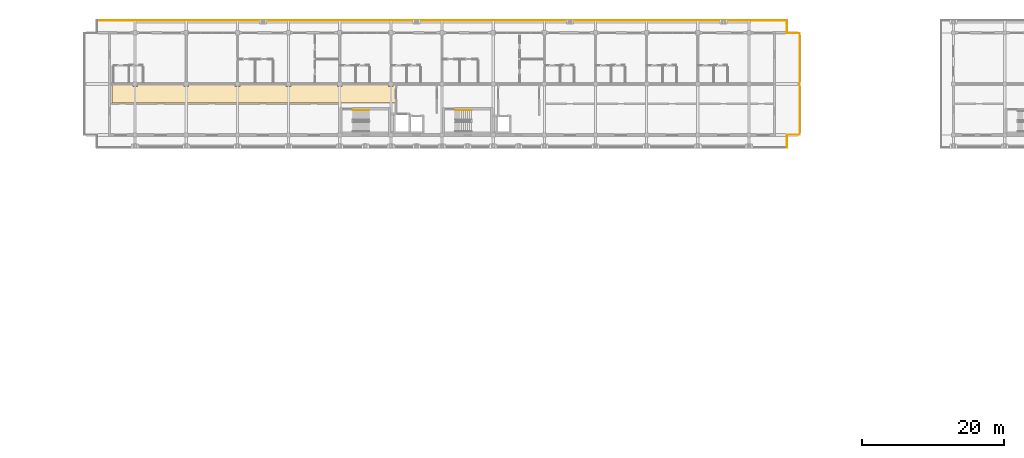
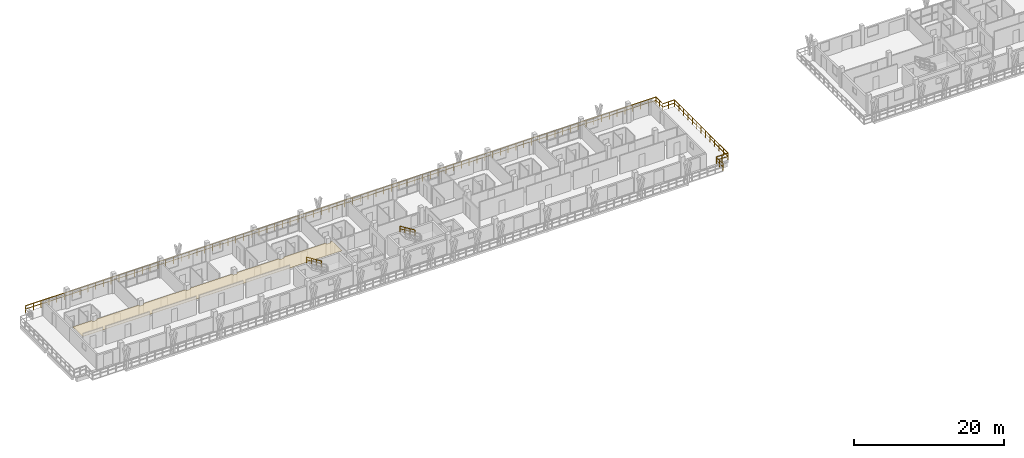
# One storey, part 60 of 67: 8 railings, 1 covering.
"""IFC4 building model written with IfcOpenShell, lengths in metres."""

from ifc_helpers import new_model, si_unit, direction, frame, origin, origin_2d, place, context, subcontext, project, spatial, polyline, rectangle, outline, extrude, material, layer, layer_set, type_object, element, save


model = new_model("IFC4")

# Units and contexts
model_context = context("Model", 3, precision=1e-05, world=origin(), true_north=direction((0.0, 1.0)))
body_context = subcontext(model_context, "Body", "Model", "MODEL_VIEW")
ifc_project = project(units=[si_unit("LENGTHUNIT", "METRE"), si_unit("AREAUNIT", "SQUARE_METRE"), si_unit("VOLUMEUNIT", "CUBIC_METRE"), si_unit("PLANEANGLEUNIT", "RADIAN"), si_unit("MASSUNIT", "GRAM", prefix="KILO")], contexts=[model_context])

# Site, building, storey
site_placement = place(None, origin())
site = spatial("IfcSite", under=ifc_project, at=site_placement, CompositionType="ELEMENT")
building_placement = place(site_placement, origin())
building = spatial("IfcBuilding", under=site, at=building_placement, Name="Suanplinth Sawtooth Commons", CompositionType="ELEMENT")
storey_placement = place(building_placement, frame((0.0, 0.0, 25.10009765625)))
storey = spatial("IfcBuildingStorey", under=building, at=storey_placement, Name="L07", CompositionType="ELEMENT", Elevation=25.10009765625)

# Covering
ifc_material_1 = material(Name="Mineral fibre acoustic tile")
ifc_layer = layer(ifc_material_1, 0.0400390625, Name="Perforated mineral-fibre acoustic suspended ceiling")
ifc_layer_set = layer_set([ifc_layer], Name="Mineral fibre acoustic tile")
covering_type = type_object("IfcCoveringType", Name="CV-CE01", PredefinedType="CEILING", material=ifc_layer_set)
covering_placement = place(storey_placement, frame((0.0, 0.0, 2.3798828125)))
element("IfcCovering", 1, at=covering_placement, inside=storey, type_object=covering_type, Name="L07 Block A Corridor Acoustic Ceiling", PredefinedType="CEILING", context=body_context, shape_type="SweptSolid", body=[
    extrude(outline(polyline([(11.159912109375, 112.5), (11.159912109375, 115.1201171875), (14.070068359375, 115.1201171875), (14.070068359375, 114.8701171875), (14.72998046875, 114.8701171875), (14.72998046875, 115.1201171875), (21.27001953125, 115.1201171875), (21.27001953125, 114.8701171875), (21.929931640625, 114.8701171875), (21.929931640625, 115.1201171875), (28.469970703125, 115.1201171875), (28.469970703125, 114.8701171875), (29.1298828125, 114.8701171875), (29.1298828125, 115.1201171875), (35.669921875, 115.1201171875), (35.669921875, 114.8701171875), (36.330078125, 114.8701171875), (36.330078125, 115.1201171875), (42.8701171875, 115.1201171875), (42.8701171875, 114.8701171875), (43.530029296875, 114.8701171875), (43.530029296875, 115.1201171875), (50.070068359375, 115.1201171875), (50.070068359375, 114.8701171875), (50.72998046875, 114.8701171875), (50.72998046875, 115.1201171875), (51.080078125, 115.1201171875), (51.080078125, 112.5), (11.159912109375, 112.5)])), origin(), (0.0, 0.0, 1.0), 0.0400390625),
])

# Railings
ifc_material_2 = material(Name="Powder-coated galvanized steel", Category="steel")
railing_type_1 = type_object("IfcRailingType", Name="GR-01", PredefinedType="BALUSTRADE", material=ifc_material_2)
railing_1_placement = place(storey_placement, frame((9.06005859375, 124.139892578125, 0.0)))
element("IfcRailing", 2, at=railing_1_placement, inside=storey, type_object=railing_type_1, Name="L07 Block A Perimeter Balustrade 5", PredefinedType="BALUSTRADE", context=body_context, shape_type="SweptSolid", body=[
    extrude(rectangle(XDim=0.048095703125, YDim=0.048095703125, at=origin_2d()), frame((0.0, 0.0, 1.09619140625), z_axis=(1.0, 0.0, 0.0), x_axis=(0.0, 1.0, 0.0)), (0.0, 0.0, 1.0), 97.079833984375),
    extrude(rectangle(XDim=0.03369140625, YDim=0.03369140625, at=origin_2d()), frame((0.0, 0.0, 0.56005859375), z_axis=(1.0, 0.0, 0.0), x_axis=(0.0, 1.0, 0.0)), (0.0, 0.0, 1.0), 97.079833984375),
    extrude(rectangle(XDim=0.0419921875, YDim=0.0419921875, at=origin_2d()), origin(), (0.0, 0.0, 1.0), 1.072021484375),
    extrude(rectangle(XDim=0.0419921875, YDim=0.0419921875, at=origin_2d()), frame((1.198486328125, 0.0, 0.0)), (0.0, 0.0, 1.0), 1.072021484375),
    extrude(rectangle(XDim=0.0419921875, YDim=0.0419921875, at=origin_2d()), frame((2.39697265625, 0.0, 0.0)), (0.0, 0.0, 1.0), 1.072021484375),
    extrude(rectangle(XDim=0.0419921875, YDim=0.0419921875, at=origin_2d()), frame((3.595458984375, 0.0, 0.0)), (0.0, 0.0, 1.0), 1.072021484375),
    extrude(rectangle(XDim=0.0419921875, YDim=0.0419921875, at=origin_2d()), frame((4.7939453125, 0.0, 0.0)), (0.0, 0.0, 1.0), 1.072021484375),
    extrude(rectangle(XDim=0.0419921875, YDim=0.0419921875, at=origin_2d()), frame((5.99267578125, 0.0, 0.0)), (0.0, 0.0, 1.0), 1.072021484375),
    extrude(rectangle(XDim=0.0419921875, YDim=0.0419921875, at=origin_2d()), frame((7.191162109375, 0.0, 0.0)), (0.0, 0.0, 1.0), 1.072021484375),
    extrude(rectangle(XDim=0.0419921875, YDim=0.0419921875, at=origin_2d()), frame((8.3896484375, 0.0, 0.0)), (0.0, 0.0, 1.0), 1.072021484375),
    extrude(rectangle(XDim=0.0419921875, YDim=0.0419921875, at=origin_2d()), frame((9.588134765625, 0.0, 0.0)), (0.0, 0.0, 1.0), 1.072021484375),
    extrude(rectangle(XDim=0.0419921875, YDim=0.0419921875, at=origin_2d()), frame((10.78662109375, 0.0, 0.0)), (0.0, 0.0, 1.0), 1.072021484375),
    extrude(rectangle(XDim=0.0419921875, YDim=0.0419921875, at=origin_2d()), frame((11.985107421875, 0.0, 0.0)), (0.0, 0.0, 1.0), 1.072021484375),
    extrude(rectangle(XDim=0.0419921875, YDim=0.0419921875, at=origin_2d()), frame((13.18359375, 0.0, 0.0)), (0.0, 0.0, 1.0), 1.072021484375),
    extrude(rectangle(XDim=0.0419921875, YDim=0.0419921875, at=origin_2d()), frame((14.382080078125, 0.0, 0.0)), (0.0, 0.0, 1.0), 1.072021484375),
    extrude(rectangle(XDim=0.0419921875, YDim=0.0419921875, at=origin_2d()), frame((15.580810546875, 0.0, 0.0)), (0.0, 0.0, 1.0), 1.072021484375),
    extrude(rectangle(XDim=0.0419921875, YDim=0.0419921875, at=origin_2d()), frame((16.779296875, 0.0, 0.0)), (0.0, 0.0, 1.0), 1.072021484375),
    extrude(rectangle(XDim=0.0419921875, YDim=0.0419921875, at=origin_2d()), frame((17.977783203125, 0.0, 0.0)), (0.0, 0.0, 1.0), 1.072021484375),
    extrude(rectangle(XDim=0.0419921875, YDim=0.0419921875, at=origin_2d()), frame((19.17626953125, 0.0, 0.0)), (0.0, 0.0, 1.0), 1.072021484375),
    extrude(rectangle(XDim=0.0419921875, YDim=0.0419921875, at=origin_2d()), frame((20.374755859375, 0.0, 0.0)), (0.0, 0.0, 1.0), 1.072021484375),
    extrude(rectangle(XDim=0.0419921875, YDim=0.0419921875, at=origin_2d()), frame((21.5732421875, 0.0, 0.0)), (0.0, 0.0, 1.0), 1.072021484375),
    extrude(rectangle(XDim=0.0419921875, YDim=0.0419921875, at=origin_2d()), frame((22.771728515625, 0.0, 0.0)), (0.0, 0.0, 1.0), 1.072021484375),
    extrude(rectangle(XDim=0.0419921875, YDim=0.0419921875, at=origin_2d()), frame((23.97021484375, 0.0, 0.0)), (0.0, 0.0, 1.0), 1.072021484375),
    extrude(rectangle(XDim=0.0419921875, YDim=0.0419921875, at=origin_2d()), frame((25.1689453125, 0.0, 0.0)), (0.0, 0.0, 1.0), 1.072021484375),
    extrude(rectangle(XDim=0.0419921875, YDim=0.0419921875, at=origin_2d()), frame((26.367431640625, 0.0, 0.0)), (0.0, 0.0, 1.0), 1.072021484375),
    extrude(rectangle(XDim=0.0419921875, YDim=0.0419921875, at=origin_2d()), frame((27.56591796875, 0.0, 0.0)), (0.0, 0.0, 1.0), 1.072021484375),
    extrude(rectangle(XDim=0.0419921875, YDim=0.0419921875, at=origin_2d()), frame((28.764404296875, 0.0, 0.0)), (0.0, 0.0, 1.0), 1.072021484375),
    extrude(rectangle(XDim=0.0419921875, YDim=0.0419921875, at=origin_2d()), frame((29.962890625, 0.0, 0.0)), (0.0, 0.0, 1.0), 1.072021484375),
    extrude(rectangle(XDim=0.0419921875, YDim=0.0419921875, at=origin_2d()), frame((31.161376953125, 0.0, 0.0)), (0.0, 0.0, 1.0), 1.072021484375),
    extrude(rectangle(XDim=0.0419921875, YDim=0.0419921875, at=origin_2d()), frame((32.35986328125, 0.0, 0.0)), (0.0, 0.0, 1.0), 1.072021484375),
    extrude(rectangle(XDim=0.0419921875, YDim=0.0419921875, at=origin_2d()), frame((33.558349609375, 0.0, 0.0)), (0.0, 0.0, 1.0), 1.072021484375),
    extrude(rectangle(XDim=0.0419921875, YDim=0.0419921875, at=origin_2d()), frame((34.757080078125, 0.0, 0.0)), (0.0, 0.0, 1.0), 1.072021484375),
    extrude(rectangle(XDim=0.0419921875, YDim=0.0419921875, at=origin_2d()), frame((35.95556640625, 0.0, 0.0)), (0.0, 0.0, 1.0), 1.072021484375),
    extrude(rectangle(XDim=0.0419921875, YDim=0.0419921875, at=origin_2d()), frame((37.154052734375, 0.0, 0.0)), (0.0, 0.0, 1.0), 1.072021484375),
    extrude(rectangle(XDim=0.0419921875, YDim=0.0419921875, at=origin_2d()), frame((38.3525390625, 0.0, 0.0)), (0.0, 0.0, 1.0), 1.072021484375),
    extrude(rectangle(XDim=0.0419921875, YDim=0.0419921875, at=origin_2d()), frame((39.551025390625, 0.0, 0.0)), (0.0, 0.0, 1.0), 1.072021484375),
    extrude(rectangle(XDim=0.0419921875, YDim=0.0419921875, at=origin_2d()), frame((40.74951171875, 0.0, 0.0)), (0.0, 0.0, 1.0), 1.072021484375),
    extrude(rectangle(XDim=0.0419921875, YDim=0.0419921875, at=origin_2d()), frame((41.947998046875, 0.0, 0.0)), (0.0, 0.0, 1.0), 1.072021484375),
    extrude(rectangle(XDim=0.0419921875, YDim=0.0419921875, at=origin_2d()), frame((43.146484375, 0.0, 0.0)), (0.0, 0.0, 1.0), 1.072021484375),
    extrude(rectangle(XDim=0.0419921875, YDim=0.0419921875, at=origin_2d()), frame((44.34521484375, 0.0, 0.0)), (0.0, 0.0, 1.0), 1.072021484375),
    extrude(rectangle(XDim=0.0419921875, YDim=0.0419921875, at=origin_2d()), frame((45.543701171875, 0.0, 0.0)), (0.0, 0.0, 1.0), 1.072021484375),
    extrude(rectangle(XDim=0.0419921875, YDim=0.0419921875, at=origin_2d()), frame((46.7421875, 0.0, 0.0)), (0.0, 0.0, 1.0), 1.072021484375),
    extrude(rectangle(XDim=0.0419921875, YDim=0.0419921875, at=origin_2d()), frame((47.940673828125, 0.0, 0.0)), (0.0, 0.0, 1.0), 1.072021484375),
    extrude(rectangle(XDim=0.0419921875, YDim=0.0419921875, at=origin_2d()), frame((49.13916015625, 0.0, 0.0)), (0.0, 0.0, 1.0), 1.072021484375),
    extrude(rectangle(XDim=0.0419921875, YDim=0.0419921875, at=origin_2d()), frame((50.337646484375, 0.0, 0.0)), (0.0, 0.0, 1.0), 1.072021484375),
    extrude(rectangle(XDim=0.0419921875, YDim=0.0419921875, at=origin_2d()), frame((51.5361328125, 0.0, 0.0)), (0.0, 0.0, 1.0), 1.072021484375),
    extrude(rectangle(XDim=0.0419921875, YDim=0.0419921875, at=origin_2d()), frame((52.734619140625, 0.0, 0.0)), (0.0, 0.0, 1.0), 1.072021484375),
    extrude(rectangle(XDim=0.0419921875, YDim=0.0419921875, at=origin_2d()), frame((53.933349609375, 0.0, 0.0)), (0.0, 0.0, 1.0), 1.072021484375),
    extrude(rectangle(XDim=0.0419921875, YDim=0.0419921875, at=origin_2d()), frame((55.1318359375, 0.0, 0.0)), (0.0, 0.0, 1.0), 1.072021484375),
    extrude(rectangle(XDim=0.0419921875, YDim=0.0419921875, at=origin_2d()), frame((56.330322265625, 0.0, 0.0)), (0.0, 0.0, 1.0), 1.072021484375),
    extrude(rectangle(XDim=0.0419921875, YDim=0.0419921875, at=origin_2d()), frame((57.52880859375, 0.0, 0.0)), (0.0, 0.0, 1.0), 1.072021484375),
    extrude(rectangle(XDim=0.0419921875, YDim=0.0419921875, at=origin_2d()), frame((58.727294921875, 0.0, 0.0)), (0.0, 0.0, 1.0), 1.072021484375),
    extrude(rectangle(XDim=0.0419921875, YDim=0.0419921875, at=origin_2d()), frame((59.92578125, 0.0, 0.0)), (0.0, 0.0, 1.0), 1.072021484375),
    extrude(rectangle(XDim=0.0419921875, YDim=0.0419921875, at=origin_2d()), frame((61.124267578125, 0.0, 0.0)), (0.0, 0.0, 1.0), 1.072021484375),
    extrude(rectangle(XDim=0.0419921875, YDim=0.0419921875, at=origin_2d()), frame((62.32275390625, 0.0, 0.0)), (0.0, 0.0, 1.0), 1.072021484375),
    extrude(rectangle(XDim=0.0419921875, YDim=0.0419921875, at=origin_2d()), frame((63.521484375, 0.0, 0.0)), (0.0, 0.0, 1.0), 1.072021484375),
    extrude(rectangle(XDim=0.0419921875, YDim=0.0419921875, at=origin_2d()), frame((64.719970703125, 0.0, 0.0)), (0.0, 0.0, 1.0), 1.072021484375),
    extrude(rectangle(XDim=0.0419921875, YDim=0.0419921875, at=origin_2d()), frame((65.91845703125, 0.0, 0.0)), (0.0, 0.0, 1.0), 1.072021484375),
    extrude(rectangle(XDim=0.0419921875, YDim=0.0419921875, at=origin_2d()), frame((67.116943359375, 0.0, 0.0)), (0.0, 0.0, 1.0), 1.072021484375),
    extrude(rectangle(XDim=0.0419921875, YDim=0.0419921875, at=origin_2d()), frame((68.3154296875, 0.0, 0.0)), (0.0, 0.0, 1.0), 1.072021484375),
    extrude(rectangle(XDim=0.0419921875, YDim=0.0419921875, at=origin_2d()), frame((69.513916015625, 0.0, 0.0)), (0.0, 0.0, 1.0), 1.072021484375),
    extrude(rectangle(XDim=0.0419921875, YDim=0.0419921875, at=origin_2d()), frame((70.71240234375, 0.0, 0.0)), (0.0, 0.0, 1.0), 1.072021484375),
    extrude(rectangle(XDim=0.0419921875, YDim=0.0419921875, at=origin_2d()), frame((71.910888671875, 0.0, 0.0)), (0.0, 0.0, 1.0), 1.072021484375),
    extrude(rectangle(XDim=0.0419921875, YDim=0.0419921875, at=origin_2d()), frame((73.109619140625, 0.0, 0.0)), (0.0, 0.0, 1.0), 1.072021484375),
    extrude(rectangle(XDim=0.0419921875, YDim=0.0419921875, at=origin_2d()), frame((74.30810546875, 0.0, 0.0)), (0.0, 0.0, 1.0), 1.072021484375),
    extrude(rectangle(XDim=0.0419921875, YDim=0.0419921875, at=origin_2d()), frame((75.506591796875, 0.0, 0.0)), (0.0, 0.0, 1.0), 1.072021484375),
    extrude(rectangle(XDim=0.0419921875, YDim=0.0419921875, at=origin_2d()), frame((76.705078125, 0.0, 0.0)), (0.0, 0.0, 1.0), 1.072021484375),
    extrude(rectangle(XDim=0.0419921875, YDim=0.0419921875, at=origin_2d()), frame((77.903564453125, 0.0, 0.0)), (0.0, 0.0, 1.0), 1.072021484375),
    extrude(rectangle(XDim=0.0419921875, YDim=0.0419921875, at=origin_2d()), frame((79.10205078125, 0.0, 0.0)), (0.0, 0.0, 1.0), 1.072021484375),
    extrude(rectangle(XDim=0.0419921875, YDim=0.0419921875, at=origin_2d()), frame((80.300537109375, 0.0, 0.0)), (0.0, 0.0, 1.0), 1.072021484375),
    extrude(rectangle(XDim=0.0419921875, YDim=0.0419921875, at=origin_2d()), frame((81.4990234375, 0.0, 0.0)), (0.0, 0.0, 1.0), 1.072021484375),
    extrude(rectangle(XDim=0.0419921875, YDim=0.0419921875, at=origin_2d()), frame((82.69775390625, 0.0, 0.0)), (0.0, 0.0, 1.0), 1.072021484375),
    extrude(rectangle(XDim=0.0419921875, YDim=0.0419921875, at=origin_2d()), frame((83.896240234375, 0.0, 0.0)), (0.0, 0.0, 1.0), 1.072021484375),
    extrude(rectangle(XDim=0.0419921875, YDim=0.0419921875, at=origin_2d()), frame((85.0947265625, 0.0, 0.0)), (0.0, 0.0, 1.0), 1.072021484375),
    extrude(rectangle(XDim=0.0419921875, YDim=0.0419921875, at=origin_2d()), frame((86.293212890625, 0.0, 0.0)), (0.0, 0.0, 1.0), 1.072021484375),
    extrude(rectangle(XDim=0.0419921875, YDim=0.0419921875, at=origin_2d()), frame((87.49169921875, 0.0, 0.0)), (0.0, 0.0, 1.0), 1.072021484375),
    extrude(rectangle(XDim=0.0419921875, YDim=0.0419921875, at=origin_2d()), frame((88.690185546875, 0.0, 0.0)), (0.0, 0.0, 1.0), 1.072021484375),
    extrude(rectangle(XDim=0.0419921875, YDim=0.0419921875, at=origin_2d()), frame((89.888671875, 0.0, 0.0)), (0.0, 0.0, 1.0), 1.072021484375),
    extrude(rectangle(XDim=0.0419921875, YDim=0.0419921875, at=origin_2d()), frame((91.087158203125, 0.0, 0.0)), (0.0, 0.0, 1.0), 1.072021484375),
    extrude(rectangle(XDim=0.0419921875, YDim=0.0419921875, at=origin_2d()), frame((92.285888671875, 0.0, 0.0)), (0.0, 0.0, 1.0), 1.072021484375),
    extrude(rectangle(XDim=0.0419921875, YDim=0.0419921875, at=origin_2d()), frame((93.484375, 0.0, 0.0)), (0.0, 0.0, 1.0), 1.072021484375),
    extrude(rectangle(XDim=0.0419921875, YDim=0.0419921875, at=origin_2d()), frame((94.682861328125, 0.0, 0.0)), (0.0, 0.0, 1.0), 1.072021484375),
    extrude(rectangle(XDim=0.0419921875, YDim=0.0419921875, at=origin_2d()), frame((95.88134765625, 0.0, 0.0)), (0.0, 0.0, 1.0), 1.072021484375),
    extrude(rectangle(XDim=0.0419921875, YDim=0.0419921875, at=origin_2d()), frame((97.079833984375, 0.0, 0.0)), (0.0, 0.0, 1.0), 1.072021484375),
])
railing_2_placement = place(storey_placement, frame((106.139892578125, 124.139892578125, 0.0)))
element("IfcRailing", 3, at=railing_2_placement, inside=storey, type_object=railing_type_1, Name="L07 Block A Perimeter Balustrade 6", PredefinedType="BALUSTRADE", context=body_context, shape_type="SweptSolid", body=[
    extrude(rectangle(XDim=0.048095703125, YDim=0.048095703125, at=origin_2d()), frame((0.0, 0.0, 1.09619140625), z_axis=(0.0, -1.0, 0.0), x_axis=(1.0, 0.0, 0.0)), (0.0, 0.0, 1.0), 1.7998046875),
    extrude(rectangle(XDim=0.03369140625, YDim=0.03369140625, at=origin_2d()), frame((0.0, 0.0, 0.56005859375), z_axis=(0.0, -1.0, 0.0), x_axis=(1.0, 0.0, 0.0)), (0.0, 0.0, 1.0), 1.7998046875),
    extrude(rectangle(XDim=0.0419921875, YDim=0.0419921875, at=origin_2d()), origin(), (0.0, 0.0, 1.0), 1.072021484375),
    extrude(rectangle(XDim=0.0419921875, YDim=0.0419921875, at=origin_2d()), frame((0.0, -0.89990234375, 0.0)), (0.0, 0.0, 1.0), 1.072021484375),
    extrude(rectangle(XDim=0.0419921875, YDim=0.0419921875, at=origin_2d()), frame((0.0, -1.7998046875, 0.0)), (0.0, 0.0, 1.0), 1.072021484375),
])
railing_3_placement = place(storey_placement, frame((106.139892578125, 122.340087890625, 0.0)))
element("IfcRailing", 4, at=railing_3_placement, inside=storey, type_object=railing_type_1, Name="L07 Block A Perimeter Balustrade 7", PredefinedType="BALUSTRADE", context=body_context, shape_type="SweptSolid", body=[
    extrude(rectangle(XDim=0.048095703125, YDim=0.048095703125, at=origin_2d()), frame((0.0, 0.0, 1.09619140625), z_axis=(1.0, 0.0, 0.0), x_axis=(0.0, 1.0, 0.0)), (0.0, 0.0, 1.0), 1.800048828125),
    extrude(rectangle(XDim=0.03369140625, YDim=0.03369140625, at=origin_2d()), frame((0.0, 0.0, 0.56005859375), z_axis=(1.0, 0.0, 0.0), x_axis=(0.0, 1.0, 0.0)), (0.0, 0.0, 1.0), 1.800048828125),
    extrude(rectangle(XDim=0.0419921875, YDim=0.0419921875, at=origin_2d()), origin(), (0.0, 0.0, 1.0), 1.072021484375),
    extrude(rectangle(XDim=0.0419921875, YDim=0.0419921875, at=origin_2d()), frame((0.89990234375, 0.0, 0.0)), (0.0, 0.0, 1.0), 1.072021484375),
    extrude(rectangle(XDim=0.0419921875, YDim=0.0419921875, at=origin_2d()), frame((1.800048828125, 0.0, 0.0)), (0.0, 0.0, 1.0), 1.072021484375),
])
railing_4_placement = place(storey_placement, frame((107.93994140625, 122.340087890625, 0.0)))
element("IfcRailing", 5, at=railing_4_placement, inside=storey, type_object=railing_type_1, Name="L07 Block A Perimeter Balustrade 8", PredefinedType="BALUSTRADE", context=body_context, shape_type="SweptSolid", body=[
    extrude(rectangle(XDim=0.048095703125, YDim=0.048095703125, at=origin_2d()), frame((0.0, 0.0, 1.09619140625), z_axis=(0.0, -1.0, 0.0), x_axis=(1.0, 0.0, 0.0)), (0.0, 0.0, 1.0), 14.280029296875),
    extrude(rectangle(XDim=0.03369140625, YDim=0.03369140625, at=origin_2d()), frame((0.0, 0.0, 0.56005859375), z_axis=(0.0, -1.0, 0.0), x_axis=(1.0, 0.0, 0.0)), (0.0, 0.0, 1.0), 14.280029296875),
    extrude(rectangle(XDim=0.0419921875, YDim=0.0419921875, at=origin_2d()), origin(), (0.0, 0.0, 1.0), 1.072021484375),
    extrude(rectangle(XDim=0.0419921875, YDim=0.0419921875, at=origin_2d()), frame((0.0, -1.18994140625, 0.0)), (0.0, 0.0, 1.0), 1.072021484375),
    extrude(rectangle(XDim=0.0419921875, YDim=0.0419921875, at=origin_2d()), frame((0.0, -2.3798828125, 0.0)), (0.0, 0.0, 1.0), 1.072021484375),
    extrude(rectangle(XDim=0.0419921875, YDim=0.0419921875, at=origin_2d()), frame((0.0, -3.570068359375, 0.0)), (0.0, 0.0, 1.0), 1.072021484375),
    extrude(rectangle(XDim=0.0419921875, YDim=0.0419921875, at=origin_2d()), frame((0.0, -4.760009765625, 0.0)), (0.0, 0.0, 1.0), 1.072021484375),
    extrude(rectangle(XDim=0.0419921875, YDim=0.0419921875, at=origin_2d()), frame((0.0, -5.949951171875, 0.0)), (0.0, 0.0, 1.0), 1.072021484375),
    extrude(rectangle(XDim=0.0419921875, YDim=0.0419921875, at=origin_2d()), frame((0.0, -7.14013671875, 0.0)), (0.0, 0.0, 1.0), 1.072021484375),
    extrude(rectangle(XDim=0.0419921875, YDim=0.0419921875, at=origin_2d()), frame((0.0, -8.330078125, 0.0)), (0.0, 0.0, 1.0), 1.072021484375),
    extrude(rectangle(XDim=0.0419921875, YDim=0.0419921875, at=origin_2d()), frame((0.0, -9.52001953125, 0.0)), (0.0, 0.0, 1.0), 1.072021484375),
    extrude(rectangle(XDim=0.0419921875, YDim=0.0419921875, at=origin_2d()), frame((0.0, -10.7099609375, 0.0)), (0.0, 0.0, 1.0), 1.072021484375),
    extrude(rectangle(XDim=0.0419921875, YDim=0.0419921875, at=origin_2d()), frame((0.0, -11.89990234375, 0.0)), (0.0, 0.0, 1.0), 1.072021484375),
    extrude(rectangle(XDim=0.0419921875, YDim=0.0419921875, at=origin_2d()), frame((0.0, -13.090087890625, 0.0)), (0.0, 0.0, 1.0), 1.072021484375),
    extrude(rectangle(XDim=0.0419921875, YDim=0.0419921875, at=origin_2d()), frame((0.0, -14.280029296875, 0.0)), (0.0, 0.0, 1.0), 1.072021484375),
])
railing_5_placement = place(storey_placement, frame((107.93994140625, 108.06005859375, 0.0)))
element("IfcRailing", 6, at=railing_5_placement, inside=storey, type_object=railing_type_1, Name="L07 Block A Perimeter Balustrade 9", PredefinedType="BALUSTRADE", context=body_context, shape_type="SweptSolid", body=[
    extrude(rectangle(XDim=0.048095703125, YDim=0.048095703125, at=origin_2d()), frame((0.0, 0.0, 1.09619140625), z_axis=(-1.0, 0.0, 0.0), x_axis=(0.0, -1.0, 0.0)), (0.0, 0.0, 1.0), 1.800048828125),
    extrude(rectangle(XDim=0.03369140625, YDim=0.03369140625, at=origin_2d()), frame((0.0, 0.0, 0.56005859375), z_axis=(-1.0, 0.0, 0.0), x_axis=(0.0, -1.0, 0.0)), (0.0, 0.0, 1.0), 1.800048828125),
    extrude(rectangle(XDim=0.0419921875, YDim=0.0419921875, at=origin_2d()), origin(), (0.0, 0.0, 1.0), 1.072021484375),
    extrude(rectangle(XDim=0.0419921875, YDim=0.0419921875, at=origin_2d()), frame((-0.89990234375, 0.0, 0.0)), (0.0, 0.0, 1.0), 1.072021484375),
    extrude(rectangle(XDim=0.0419921875, YDim=0.0419921875, at=origin_2d()), frame((-1.800048828125, 0.0, 0.0)), (0.0, 0.0, 1.0), 1.072021484375),
])
railing_6_placement = place(storey_placement, frame((106.139892578125, 108.06005859375, 0.0)))
element("IfcRailing", 7, at=railing_6_placement, inside=storey, type_object=railing_type_1, Name="L07 Block A Perimeter Balustrade 10", PredefinedType="BALUSTRADE", context=body_context, shape_type="SweptSolid", body=[
    extrude(rectangle(XDim=0.048095703125, YDim=0.048095703125, at=origin_2d()), frame((0.0, 0.0, 1.09619140625), z_axis=(0.0, -1.0, 0.0), x_axis=(1.0, 0.0, 0.0)), (0.0, 0.0, 1.0), 1.800048828125),
    extrude(rectangle(XDim=0.03369140625, YDim=0.03369140625, at=origin_2d()), frame((0.0, 0.0, 0.56005859375), z_axis=(0.0, -1.0, 0.0), x_axis=(1.0, 0.0, 0.0)), (0.0, 0.0, 1.0), 1.800048828125),
    extrude(rectangle(XDim=0.0419921875, YDim=0.0419921875, at=origin_2d()), origin(), (0.0, 0.0, 1.0), 1.072021484375),
    extrude(rectangle(XDim=0.0419921875, YDim=0.0419921875, at=origin_2d()), frame((0.0, -0.89990234375, 0.0)), (0.0, 0.0, 1.0), 1.072021484375),
    extrude(rectangle(XDim=0.0419921875, YDim=0.0419921875, at=origin_2d()), frame((0.0, -1.800048828125, 0.0)), (0.0, 0.0, 1.0), 1.072021484375),
])
ifc_material_3 = material(Name="Stainless steel Grade 304", Category="steel")
railing_type_2 = type_object("IfcRailingType", Name="HR-01", PredefinedType="HANDRAIL", material=ifc_material_3)
for number, where, name in (
    (8, (47.330078125, 111.5, 1.777587890625), "L07 ST-N1 Handrail 2"),
    (9, (61.72998046875, 111.5, 1.777587890625), "L07 ST-N2 Handrail 2"),
):
    element("IfcRailing", number, at=place(storey_placement, frame(where)), inside=storey, type_object=railing_type_2, Name=name, PredefinedType="HANDRAIL", context=body_context, shape_type="SweptSolid", body=[
        extrude(rectangle(XDim=0.048095703125, YDim=0.048095703125, at=origin_2d()), frame((0.0, 0.0, 0.8759765625), z_axis=(-0.848442045328, 0.0, 0.529288291689), x_axis=(0.0, -1.0, 0.0)), (0.0, 0.0, 1.0), 2.687255859375),
        extrude(rectangle(XDim=0.03369140625, YDim=0.03369140625, at=origin_2d()), frame((0.0, 0.0, 0.449951171875), z_axis=(-0.848442045328, 0.0, 0.529288291689), x_axis=(0.0, -1.0, 0.0)), (0.0, 0.0, 1.0), 2.687255859375),
        extrude(rectangle(XDim=0.0419921875, YDim=0.0419921875, at=origin_2d()), origin(), (0.0, 0.0, 1.0), 0.851806640625),
        extrude(rectangle(XDim=0.0419921875, YDim=0.0419921875, at=origin_2d()), frame((-0.760009765625, 0.0, 0.47412109375)), (0.0, 0.0, 1.0), 0.851806640625),
        extrude(rectangle(XDim=0.0419921875, YDim=0.0419921875, at=origin_2d()), frame((-1.52001953125, 0.0, 0.9482421875)), (0.0, 0.0, 1.0), 0.851806640625),
        extrude(rectangle(XDim=0.0419921875, YDim=0.0419921875, at=origin_2d()), frame((-2.280029296875, 0.0, 1.42236328125)), (0.0, 0.0, 1.0), 0.851806640625),
    ])

save(model, "model.ifc")
